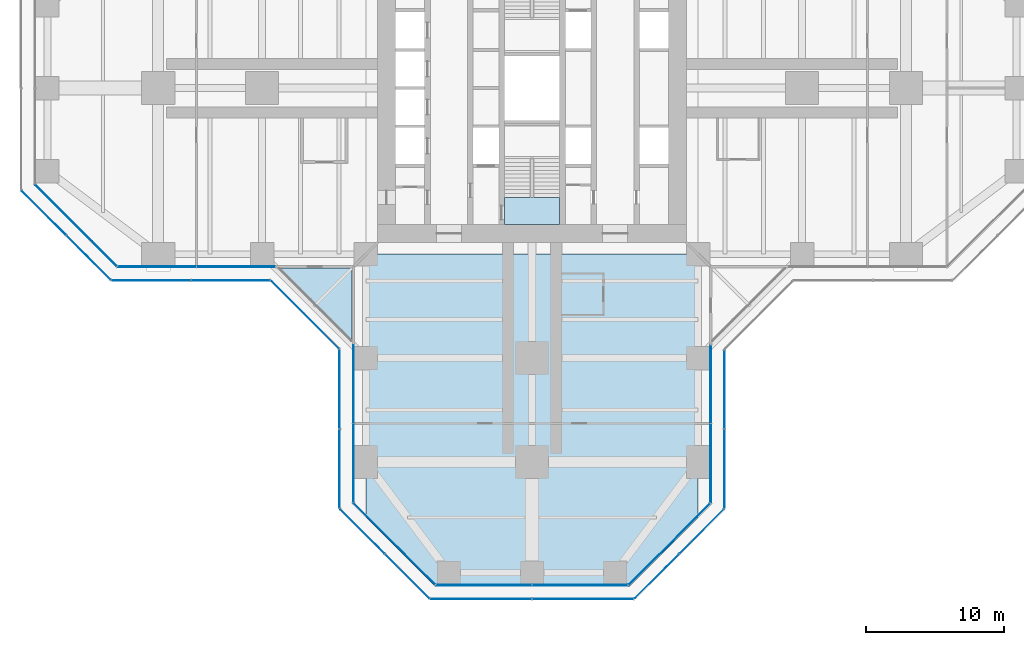
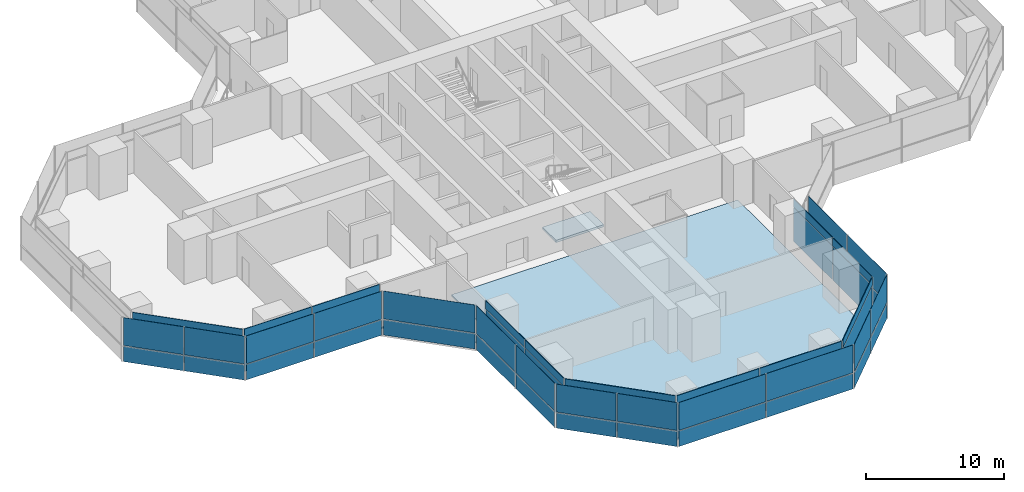
# One storey, part 14 of 22: 52 plates, 3 slabs, 16 elements without a shape of their own.
"""IFC4 building model written with IfcOpenShell, lengths in metres."""

from ifc_helpers import new_model, si_unit, direction, frame, origin, origin_2d, place, context, subcontext, project, spatial, polyline, rectangle, outline, extrude, material, layer, layer_set, type_object, element, aggregate, save


model = new_model("IFC4")

# Units and contexts
model_context = context("Model", 3, precision=1e-05, world=origin(), true_north=direction((0.0, 1.0)))
body_context = subcontext(model_context, "Body", "Model", "MODEL_VIEW")
ifc_project = project(units=[si_unit("LENGTHUNIT", "METRE"), si_unit("AREAUNIT", "SQUARE_METRE"), si_unit("VOLUMEUNIT", "CUBIC_METRE"), si_unit("PLANEANGLEUNIT", "RADIAN"), si_unit("MASSUNIT", "GRAM", prefix="KILO")], contexts=[model_context])

# Site, building, storey
site_placement = place(None, origin())
site = spatial("IfcSite", under=ifc_project, at=site_placement, CompositionType="ELEMENT")
building_placement = place(site_placement, origin())
building = spatial("IfcBuilding", under=site, at=building_placement, Name="Mizan Broadcast Tower", CompositionType="ELEMENT")
storey_placement = place(building_placement, frame((0.0, 0.0, 109.800048828125)))
storey = spatial("IfcBuildingStorey", under=building, at=storey_placement, Name="L24", CompositionType="ELEMENT", Elevation=109.800048828125)

# Slab
ifc_material_1 = material(Name="Concrete C32/40", Category="concrete")
ifc_layer_1 = layer(ifc_material_1, 0.1298828125)
ifc_layer_set_1 = layer_set([ifc_layer_1], Name="Concrete C32/40")
slab_type_1 = type_object("IfcSlabType", Name="COMPOSITE DECK SLAB 130", PredefinedType="FLOOR", material=ifc_layer_set_1)
slab_1_placement = place(storey_placement, frame((0.0, 0.0, -0.130126953125)))
element("IfcSlab", 1, at=slab_1_placement, inside=storey, type_object=slab_type_1, Name="Floor slab L24 south arm", PredefinedType="FLOOR", context=body_context, shape_type="SweptSolid", body=[
    extrude(outline(polyline([(7.0, -36.0), (12.0, -31.0), (12.0, -12.0), (-12.0, -12.0), (-12.0, -31.0), (-7.0, -36.0), (7.0, -36.0)])), origin(), (0.0, 0.0, 1.0), 0.130126953125),
])

# Curtain wall, plate
ifc_material_2 = material(Name="Aluminium framed glazing", Category="aluminium")
curtain_wall_type_1 = type_object("IfcCurtainWallType", Name="INNER SKIN LOW ZONE", PredefinedType="USERDEFINED", material=ifc_material_2)
curtain_wall_1_placement = place(storey_placement, origin())
curtain_wall_1 = element("IfcCurtainWall", 2, at=curtain_wall_1_placement, inside=storey, type_object=curtain_wall_type_1, Name="Inner skin low zone L24 W chamfer", ObjectType="INNER SKIN LOW ZONE", PredefinedType="USERDEFINED")
ifc_material_3 = material(Name="Double glazing, clear low-e", Category="glass")
ifc_layer_2 = layer(ifc_material_3, 0.028076171875)
ifc_layer_set_2 = layer_set([ifc_layer_2], Name="Double glazing, clear low-e")
plate_type_1 = type_object("IfcPlateType", Name="INNER SKIN GLAZING UNIT", PredefinedType="CURTAIN_PANEL", material=ifc_layer_set_2)
plate_1_placement = place(storey_placement, frame((-32.92919921875, -9.92919921875, 0.0), z_axis=(0.0, 0.0, 1.0), x_axis=(0.707106781187, -0.707106781187, 0.0)))
plate_1 = element("IfcPlate", 3, at=plate_1_placement, type_object=plate_type_1, Name="Inner skin low zone L24 W chamfer panel 1.1", PredefinedType="CURTAIN_PANEL", context=body_context, shape_type="SweptSolid", body=[
    extrude(rectangle(XDim=8.282470703125, YDim=0.028076171875, at=origin_2d()), origin(), (0.0, 0.0, 1.0), 3.0),
])

# Curtain wall, plates
curtain_wall_2_placement = place(storey_placement, origin())
curtain_wall_2 = element("IfcCurtainWall", 4, at=curtain_wall_2_placement, inside=storey, type_object=curtain_wall_type_1, Name="Inner skin low zone L24 W side", ObjectType="INNER SKIN LOW ZONE", PredefinedType="USERDEFINED")
plate_2_placement = place(storey_placement, frame((-27.078857421875, -12.89990234375, 0.0), z_axis=(0.0, 0.0, 1.0), x_axis=(1.0, 0.0, 0.0)))
plate_2 = element("IfcPlate", 5, at=plate_2_placement, type_object=plate_type_1, Name="Inner skin low zone L24 W side panel 1.1", PredefinedType="CURTAIN_PANEL", context=body_context, shape_type="SweptSolid", body=[
    extrude(rectangle(XDim=5.639404296875, YDim=0.028076171875, at=origin_2d()), origin(), (0.0, 0.0, 1.0), 3.0),
])
plate_3_placement = place(storey_placement, frame((-21.379638671875, -12.89990234375, 0.0), z_axis=(0.0, 0.0, 1.0), x_axis=(1.0, 0.0, 0.0)))
plate_3 = element("IfcPlate", 6, at=plate_3_placement, type_object=plate_type_1, Name="Inner skin low zone L24 W side panel 2.1", PredefinedType="CURTAIN_PANEL", context=body_context, shape_type="SweptSolid", body=[
    extrude(rectangle(XDim=5.639404296875, YDim=0.028076171875, at=origin_2d()), origin(), (0.0, 0.0, 1.0), 3.0),
])

curtain_wall_3_placement = place(storey_placement, origin())
curtain_wall_3 = element("IfcCurtainWall", 7, at=curtain_wall_3_placement, inside=storey, type_object=curtain_wall_type_1, Name="Inner skin low zone L24 S side", ObjectType="INNER SKIN LOW ZONE", PredefinedType="USERDEFINED")
plate_4_placement = place(storey_placement, frame((-12.89990234375, -21.379638671875, 0.0), z_axis=(0.0, 0.0, 1.0), x_axis=(0.0, -1.0, 0.0)))
plate_4 = element("IfcPlate", 8, at=plate_4_placement, type_object=plate_type_1, Name="Inner skin low zone L24 S side panel 1.1", PredefinedType="CURTAIN_PANEL", context=body_context, shape_type="SweptSolid", body=[
    extrude(rectangle(XDim=5.639404296875, YDim=0.028076171875, at=origin_2d()), origin(), (0.0, 0.0, 1.0), 3.0),
])
plate_5_placement = place(storey_placement, frame((-12.89990234375, -27.078857421875, 0.0), z_axis=(0.0, 0.0, 1.0), x_axis=(0.0, -1.0, 0.0)))
plate_5 = element("IfcPlate", 9, at=plate_5_placement, type_object=plate_type_1, Name="Inner skin low zone L24 S side panel 2.1", PredefinedType="CURTAIN_PANEL", context=body_context, shape_type="SweptSolid", body=[
    extrude(rectangle(XDim=5.639404296875, YDim=0.028076171875, at=origin_2d()), origin(), (0.0, 0.0, 1.0), 3.0),
])

# Curtain wall, plate
curtain_wall_4_placement = place(storey_placement, origin())
curtain_wall_4 = element("IfcCurtainWall", 10, at=curtain_wall_4_placement, inside=storey, type_object=curtain_wall_type_1, Name="Inner skin low zone L24 S chamfer", ObjectType="INNER SKIN LOW ZONE", PredefinedType="USERDEFINED")
plate_6_placement = place(storey_placement, frame((-9.92919921875, -32.92919921875, 0.0), z_axis=(0.0, 0.0, 1.0), x_axis=(0.707106781187, -0.707106781187, 0.0)))
plate_6 = element("IfcPlate", 11, at=plate_6_placement, type_object=plate_type_1, Name="Inner skin low zone L24 S chamfer panel 1.1", PredefinedType="CURTAIN_PANEL", context=body_context, shape_type="SweptSolid", body=[
    extrude(rectangle(XDim=8.282470703125, YDim=0.028076171875, at=origin_2d()), origin(), (0.0, 0.0, 1.0), 3.0),
])

# Curtain wall, plates
curtain_wall_5_placement = place(storey_placement, origin())
curtain_wall_5 = element("IfcCurtainWall", 12, at=curtain_wall_5_placement, inside=storey, type_object=curtain_wall_type_1, Name="Inner skin low zone L24 S end", ObjectType="INNER SKIN LOW ZONE", PredefinedType="USERDEFINED")
plate_7_placement = place(storey_placement, frame((-3.46435546875, -35.89990234375, 0.0), z_axis=(0.0, 0.0, 1.0), x_axis=(1.0, 0.0, 0.0)))
plate_7 = element("IfcPlate", 13, at=plate_7_placement, type_object=plate_type_1, Name="Inner skin low zone L24 S end panel 1.1", PredefinedType="CURTAIN_PANEL", context=body_context, shape_type="SweptSolid", body=[
    extrude(rectangle(XDim=6.86865234375, YDim=0.028076171875, at=origin_2d()), origin(), (0.0, 0.0, 1.0), 3.0),
])
plate_8_placement = place(storey_placement, frame((3.46435546875, -35.89990234375, 0.0), z_axis=(0.0, 0.0, 1.0), x_axis=(1.0, 0.0, 0.0)))
plate_8 = element("IfcPlate", 14, at=plate_8_placement, type_object=plate_type_1, Name="Inner skin low zone L24 S end panel 2.1", PredefinedType="CURTAIN_PANEL", context=body_context, shape_type="SweptSolid", body=[
    extrude(rectangle(XDim=6.86865234375, YDim=0.028076171875, at=origin_2d()), origin(), (0.0, 0.0, 1.0), 3.0),
])

# Curtain wall, plate
curtain_wall_6_placement = place(storey_placement, origin())
curtain_wall_6 = element("IfcCurtainWall", 15, at=curtain_wall_6_placement, inside=storey, type_object=curtain_wall_type_1, Name="Inner skin low zone L24 S chamfer", ObjectType="INNER SKIN LOW ZONE", PredefinedType="USERDEFINED")
plate_9_placement = place(storey_placement, frame((9.92919921875, -32.92919921875, 0.0), z_axis=(0.0, 0.0, 1.0), x_axis=(0.707106781187, 0.707106781187, 0.0)))
plate_9 = element("IfcPlate", 16, at=plate_9_placement, type_object=plate_type_1, Name="Inner skin low zone L24 S chamfer panel 1.1", PredefinedType="CURTAIN_PANEL", context=body_context, shape_type="SweptSolid", body=[
    extrude(rectangle(XDim=8.282470703125, YDim=0.028076171875, at=origin_2d()), origin(), (0.0, 0.0, 1.0), 3.0),
])

# Curtain wall, plates
curtain_wall_7_placement = place(storey_placement, origin())
curtain_wall_7 = element("IfcCurtainWall", 17, at=curtain_wall_7_placement, inside=storey, type_object=curtain_wall_type_1, Name="Inner skin low zone L24 S side", ObjectType="INNER SKIN LOW ZONE", PredefinedType="USERDEFINED")
plate_10_placement = place(storey_placement, frame((12.89990234375, -27.078857421875, 0.0), z_axis=(0.0, 0.0, 1.0), x_axis=(0.0, 1.0, 0.0)))
plate_10 = element("IfcPlate", 18, at=plate_10_placement, type_object=plate_type_1, Name="Inner skin low zone L24 S side panel 1.1", PredefinedType="CURTAIN_PANEL", context=body_context, shape_type="SweptSolid", body=[
    extrude(rectangle(XDim=5.639404296875, YDim=0.028076171875, at=origin_2d()), origin(), (0.0, 0.0, 1.0), 3.0),
])
plate_11_placement = place(storey_placement, frame((12.89990234375, -21.379638671875, 0.0), z_axis=(0.0, 0.0, 1.0), x_axis=(0.0, 1.0, 0.0)))
plate_11 = element("IfcPlate", 19, at=plate_11_placement, type_object=plate_type_1, Name="Inner skin low zone L24 S side panel 2.1", PredefinedType="CURTAIN_PANEL", context=body_context, shape_type="SweptSolid", body=[
    extrude(rectangle(XDim=5.639404296875, YDim=0.028076171875, at=origin_2d()), origin(), (0.0, 0.0, 1.0), 3.0),
])

# Plate
ifc_material_4 = material(Name="Insulated aluminium spandrel panel, pale anodised", Category="aluminium")
ifc_layer_3 = layer(ifc_material_4, 0.050048828125)
ifc_layer_set_3 = layer_set([ifc_layer_3], Name="Insulated aluminium spandrel panel, pale anodised")
plate_type_2 = type_object("IfcPlateType", Name="INNER SKIN SPANDREL PANEL", PredefinedType="CURTAIN_PANEL", material=ifc_layer_set_3)
plate_12_placement = place(storey_placement, frame((-32.92919921875, -9.92919921875, 3.06005859375), z_axis=(0.0, 0.0, 1.0), x_axis=(0.707106781187, -0.707106781187, 0.0)))
plate_12 = element("IfcPlate", 20, at=plate_12_placement, type_object=plate_type_2, Name="Inner skin low zone L24 W chamfer panel 1.2", PredefinedType="CURTAIN_PANEL", context=body_context, shape_type="SweptSolid", body=[
    extrude(rectangle(XDim=8.282470703125, YDim=0.050048828125, at=origin_2d()), origin(), (0.0, 0.0, 1.0), 0.7099609375),
])

aggregate(curtain_wall_1, [plate_1, plate_12])

plate_13_placement = place(storey_placement, frame((-27.078857421875, -12.89990234375, 3.06005859375), z_axis=(0.0, 0.0, 1.0), x_axis=(1.0, 0.0, 0.0)))
plate_13 = element("IfcPlate", 21, at=plate_13_placement, type_object=plate_type_2, Name="Inner skin low zone L24 W side panel 1.2", PredefinedType="CURTAIN_PANEL", context=body_context, shape_type="SweptSolid", body=[
    extrude(rectangle(XDim=5.639404296875, YDim=0.050048828125, at=origin_2d()), origin(), (0.0, 0.0, 1.0), 0.7099609375),
])

plate_14_placement = place(storey_placement, frame((-21.379638671875, -12.89990234375, 3.06005859375), z_axis=(0.0, 0.0, 1.0), x_axis=(1.0, 0.0, 0.0)))
plate_14 = element("IfcPlate", 22, at=plate_14_placement, type_object=plate_type_2, Name="Inner skin low zone L24 W side panel 2.2", PredefinedType="CURTAIN_PANEL", context=body_context, shape_type="SweptSolid", body=[
    extrude(rectangle(XDim=5.639404296875, YDim=0.050048828125, at=origin_2d()), origin(), (0.0, 0.0, 1.0), 0.7099609375),
])

aggregate(curtain_wall_2, [plate_2, plate_13, plate_3, plate_14])

plate_15_placement = place(storey_placement, frame((-12.89990234375, -21.379638671875, 3.06005859375), z_axis=(0.0, 0.0, 1.0), x_axis=(0.0, -1.0, 0.0)))
plate_15 = element("IfcPlate", 23, at=plate_15_placement, type_object=plate_type_2, Name="Inner skin low zone L24 S side panel 1.2", PredefinedType="CURTAIN_PANEL", context=body_context, shape_type="SweptSolid", body=[
    extrude(rectangle(XDim=5.639404296875, YDim=0.050048828125, at=origin_2d()), origin(), (0.0, 0.0, 1.0), 0.7099609375),
])

plate_16_placement = place(storey_placement, frame((-12.89990234375, -27.078857421875, 3.06005859375), z_axis=(0.0, 0.0, 1.0), x_axis=(0.0, -1.0, 0.0)))
plate_16 = element("IfcPlate", 24, at=plate_16_placement, type_object=plate_type_2, Name="Inner skin low zone L24 S side panel 2.2", PredefinedType="CURTAIN_PANEL", context=body_context, shape_type="SweptSolid", body=[
    extrude(rectangle(XDim=5.639404296875, YDim=0.050048828125, at=origin_2d()), origin(), (0.0, 0.0, 1.0), 0.7099609375),
])

aggregate(curtain_wall_3, [plate_4, plate_15, plate_5, plate_16])

plate_17_placement = place(storey_placement, frame((-9.92919921875, -32.92919921875, 3.06005859375), z_axis=(0.0, 0.0, 1.0), x_axis=(0.707106781187, -0.707106781187, 0.0)))
plate_17 = element("IfcPlate", 25, at=plate_17_placement, type_object=plate_type_2, Name="Inner skin low zone L24 S chamfer panel 1.2", PredefinedType="CURTAIN_PANEL", context=body_context, shape_type="SweptSolid", body=[
    extrude(rectangle(XDim=8.282470703125, YDim=0.050048828125, at=origin_2d()), origin(), (0.0, 0.0, 1.0), 0.7099609375),
])

aggregate(curtain_wall_4, [plate_6, plate_17])

plate_18_placement = place(storey_placement, frame((-3.46435546875, -35.89990234375, 3.06005859375), z_axis=(0.0, 0.0, 1.0), x_axis=(1.0, 0.0, 0.0)))
plate_18 = element("IfcPlate", 26, at=plate_18_placement, type_object=plate_type_2, Name="Inner skin low zone L24 S end panel 1.2", PredefinedType="CURTAIN_PANEL", context=body_context, shape_type="SweptSolid", body=[
    extrude(rectangle(XDim=6.86865234375, YDim=0.050048828125, at=origin_2d()), origin(), (0.0, 0.0, 1.0), 0.7099609375),
])

plate_19_placement = place(storey_placement, frame((3.46435546875, -35.89990234375, 3.06005859375), z_axis=(0.0, 0.0, 1.0), x_axis=(1.0, 0.0, 0.0)))
plate_19 = element("IfcPlate", 27, at=plate_19_placement, type_object=plate_type_2, Name="Inner skin low zone L24 S end panel 2.2", PredefinedType="CURTAIN_PANEL", context=body_context, shape_type="SweptSolid", body=[
    extrude(rectangle(XDim=6.86865234375, YDim=0.050048828125, at=origin_2d()), origin(), (0.0, 0.0, 1.0), 0.7099609375),
])

aggregate(curtain_wall_5, [plate_7, plate_18, plate_8, plate_19])

plate_20_placement = place(storey_placement, frame((9.92919921875, -32.92919921875, 3.06005859375), z_axis=(0.0, 0.0, 1.0), x_axis=(0.707106781187, 0.707106781187, 0.0)))
plate_20 = element("IfcPlate", 28, at=plate_20_placement, type_object=plate_type_2, Name="Inner skin low zone L24 S chamfer panel 1.2", PredefinedType="CURTAIN_PANEL", context=body_context, shape_type="SweptSolid", body=[
    extrude(rectangle(XDim=8.282470703125, YDim=0.050048828125, at=origin_2d()), origin(), (0.0, 0.0, 1.0), 0.7099609375),
])

aggregate(curtain_wall_6, [plate_9, plate_20])

plate_21_placement = place(storey_placement, frame((12.89990234375, -27.078857421875, 3.06005859375), z_axis=(0.0, 0.0, 1.0), x_axis=(0.0, 1.0, 0.0)))
plate_21 = element("IfcPlate", 29, at=plate_21_placement, type_object=plate_type_2, Name="Inner skin low zone L24 S side panel 1.2", PredefinedType="CURTAIN_PANEL", context=body_context, shape_type="SweptSolid", body=[
    extrude(rectangle(XDim=5.639404296875, YDim=0.050048828125, at=origin_2d()), origin(), (0.0, 0.0, 1.0), 0.7099609375),
])

plate_22_placement = place(storey_placement, frame((12.89990234375, -21.379638671875, 3.06005859375), z_axis=(0.0, 0.0, 1.0), x_axis=(0.0, 1.0, 0.0)))
plate_22 = element("IfcPlate", 30, at=plate_22_placement, type_object=plate_type_2, Name="Inner skin low zone L24 S side panel 2.2", PredefinedType="CURTAIN_PANEL", context=body_context, shape_type="SweptSolid", body=[
    extrude(rectangle(XDim=5.639404296875, YDim=0.050048828125, at=origin_2d()), origin(), (0.0, 0.0, 1.0), 0.7099609375),
])

aggregate(curtain_wall_7, [plate_10, plate_21, plate_11, plate_22])

# Curtain wall, plates
ifc_material_5 = material(Name="Aluminium framed glazing", Category="aluminium")
curtain_wall_type_2 = type_object("IfcCurtainWallType", Name="OUTER SKIN", PredefinedType="USERDEFINED", material=ifc_material_5)
curtain_wall_8_placement = place(storey_placement, origin())
curtain_wall_8 = element("IfcCurtainWall", 31, at=curtain_wall_8_placement, inside=storey, type_object=curtain_wall_type_2, Name="Outer skin L24 W chamfer", ObjectType="OUTER SKIN", PredefinedType="USERDEFINED")
ifc_material_6 = material(Name="Laminated clear glass", Category="glass")
ifc_layer_4 = layer(ifc_material_6, 0.02001953125)
ifc_layer_set_4 = layer_set([ifc_layer_4], Name="Laminated clear glass")
plate_type_3 = type_object("IfcPlateType", Name="OUTER SKIN CLEAR GLASS", PredefinedType="CURTAIN_PANEL", material=ifc_layer_set_4)
plate_23_placement = place(storey_placement, frame((-35.254150390625, -9.018798828125, 0.0), z_axis=(0.0, 0.0, 1.0), x_axis=(0.707106781187, -0.707106781187, 0.0)))
plate_23 = element("IfcPlate", 32, at=plate_23_placement, type_object=plate_type_3, Name="Outer skin L24 W chamfer panel 1.1", PredefinedType="CURTAIN_PANEL", context=body_context, shape_type="SweptSolid", body=[
    extrude(rectangle(XDim=4.495361328125, YDim=0.02001953125, at=origin_2d()), origin(), (0.0, 0.0, 1.0), 1.3701171875),
])
plate_24_placement = place(storey_placement, frame((-35.254150390625, -9.018798828125, 1.43017578125), z_axis=(0.0, 0.0, 1.0), x_axis=(0.707106781187, -0.707106781187, 0.0)))
plate_24 = element("IfcPlate", 33, at=plate_24_placement, type_object=plate_type_3, Name="Outer skin L24 W chamfer panel 1.2", PredefinedType="CURTAIN_PANEL", context=body_context, shape_type="SweptSolid", body=[
    extrude(rectangle(XDim=4.495361328125, YDim=0.02001953125, at=origin_2d()), origin(), (0.0, 0.0, 1.0), 2.469970703125),
])

curtain_wall_9_placement = place(storey_placement, origin())
curtain_wall_9 = element("IfcCurtainWall", 34, at=curtain_wall_9_placement, inside=storey, type_object=curtain_wall_type_2, Name="Outer skin L24 W side", ObjectType="OUTER SKIN", PredefinedType="USERDEFINED")
plate_25_placement = place(storey_placement, frame((-27.477783203125, -13.89990234375, 0.0), z_axis=(0.0, 0.0, 1.0), x_axis=(1.0, 0.0, 0.0)))
plate_25 = element("IfcPlate", 35, at=plate_25_placement, type_object=plate_type_3, Name="Outer skin L24 W side panel 1.1", PredefinedType="CURTAIN_PANEL", context=body_context, shape_type="SweptSolid", body=[
    extrude(rectangle(XDim=5.6298828125, YDim=0.02001953125, at=origin_2d()), origin(), (0.0, 0.0, 1.0), 1.3701171875),
])
plate_26_placement = place(storey_placement, frame((-27.477783203125, -13.89990234375, 1.43017578125), z_axis=(0.0, 0.0, 1.0), x_axis=(1.0, 0.0, 0.0)))
plate_26 = element("IfcPlate", 36, at=plate_26_placement, type_object=plate_type_3, Name="Outer skin L24 W side panel 1.2", PredefinedType="CURTAIN_PANEL", context=body_context, shape_type="SweptSolid", body=[
    extrude(rectangle(XDim=5.6298828125, YDim=0.02001953125, at=origin_2d()), origin(), (0.0, 0.0, 1.0), 2.469970703125),
])

curtain_wall_10_placement = place(storey_placement, origin())
curtain_wall_10 = element("IfcCurtainWall", 37, at=curtain_wall_10_placement, inside=storey, type_object=curtain_wall_type_2, Name="Outer skin L24 W chamfer", ObjectType="OUTER SKIN", PredefinedType="USERDEFINED")
plate_27_placement = place(storey_placement, frame((-16.386474609375, -16.386474609375, 0.0), z_axis=(0.0, 0.0, 1.0), x_axis=(0.707106781187, -0.707106781187, 0.0)))
plate_27 = element("IfcPlate", 38, at=plate_27_placement, type_object=plate_type_3, Name="Outer skin L24 W chamfer panel 1.1", PredefinedType="CURTAIN_PANEL", context=body_context, shape_type="SweptSolid", body=[
    extrude(rectangle(XDim=6.87255859375, YDim=0.02001953125, at=origin_2d()), origin(), (0.0, 0.0, 1.0), 1.3701171875),
])
plate_28_placement = place(storey_placement, frame((-16.386474609375, -16.386474609375, 1.43017578125), z_axis=(0.0, 0.0, 1.0), x_axis=(0.707106781187, -0.707106781187, 0.0)))
plate_28 = element("IfcPlate", 39, at=plate_28_placement, type_object=plate_type_3, Name="Outer skin L24 W chamfer panel 1.2", PredefinedType="CURTAIN_PANEL", context=body_context, shape_type="SweptSolid", body=[
    extrude(rectangle(XDim=6.87255859375, YDim=0.02001953125, at=origin_2d()), origin(), (0.0, 0.0, 1.0), 2.469970703125),
])
aggregate(curtain_wall_10, [plate_27, plate_28])

curtain_wall_11_placement = place(storey_placement, origin())
curtain_wall_11 = element("IfcCurtainWall", 40, at=curtain_wall_11_placement, inside=storey, type_object=curtain_wall_type_2, Name="Outer skin L24 S side", ObjectType="OUTER SKIN", PredefinedType="USERDEFINED")
plate_29_placement = place(storey_placement, frame((-13.89990234375, -21.767822265625, 0.0), z_axis=(0.0, 0.0, 1.0), x_axis=(0.0, -1.0, 0.0)))
plate_29 = element("IfcPlate", 41, at=plate_29_placement, type_object=plate_type_3, Name="Outer skin L24 S side panel 1.1", PredefinedType="CURTAIN_PANEL", context=body_context, shape_type="SweptSolid", body=[
    extrude(rectangle(XDim=5.6298828125, YDim=0.02001953125, at=origin_2d()), origin(), (0.0, 0.0, 1.0), 1.3701171875),
])
plate_30_placement = place(storey_placement, frame((-13.89990234375, -21.767822265625, 1.43017578125), z_axis=(0.0, 0.0, 1.0), x_axis=(0.0, -1.0, 0.0)))
plate_30 = element("IfcPlate", 42, at=plate_30_placement, type_object=plate_type_3, Name="Outer skin L24 S side panel 1.2", PredefinedType="CURTAIN_PANEL", context=body_context, shape_type="SweptSolid", body=[
    extrude(rectangle(XDim=5.6298828125, YDim=0.02001953125, at=origin_2d()), origin(), (0.0, 0.0, 1.0), 2.469970703125),
])

curtain_wall_12_placement = place(storey_placement, origin())
curtain_wall_12 = element("IfcCurtainWall", 43, at=curtain_wall_12_placement, inside=storey, type_object=curtain_wall_type_2, Name="Outer skin L24 S chamfer", ObjectType="OUTER SKIN", PredefinedType="USERDEFINED")
plate_31_placement = place(storey_placement, frame((-12.254150390625, -32.018798828125, 0.0), z_axis=(0.0, 0.0, 1.0), x_axis=(0.707106781187, -0.707106781187, 0.0)))
plate_31 = element("IfcPlate", 44, at=plate_31_placement, type_object=plate_type_3, Name="Outer skin L24 S chamfer panel 1.1", PredefinedType="CURTAIN_PANEL", context=body_context, shape_type="SweptSolid", body=[
    extrude(rectangle(XDim=4.495361328125, YDim=0.02001953125, at=origin_2d()), origin(), (0.0, 0.0, 1.0), 1.3701171875),
])
plate_32_placement = place(storey_placement, frame((-12.254150390625, -32.018798828125, 1.43017578125), z_axis=(0.0, 0.0, 1.0), x_axis=(0.707106781187, -0.707106781187, 0.0)))
plate_32 = element("IfcPlate", 45, at=plate_32_placement, type_object=plate_type_3, Name="Outer skin L24 S chamfer panel 1.2", PredefinedType="CURTAIN_PANEL", context=body_context, shape_type="SweptSolid", body=[
    extrude(rectangle(XDim=4.495361328125, YDim=0.02001953125, at=origin_2d()), origin(), (0.0, 0.0, 1.0), 2.469970703125),
])

curtain_wall_13_placement = place(storey_placement, origin())
curtain_wall_13 = element("IfcCurtainWall", 46, at=curtain_wall_13_placement, inside=storey, type_object=curtain_wall_type_2, Name="Outer skin L24 S end", ObjectType="OUTER SKIN", PredefinedType="USERDEFINED")
plate_33_placement = place(storey_placement, frame((-3.66650390625, -36.89990234375, 0.0), z_axis=(0.0, 0.0, 1.0), x_axis=(1.0, 0.0, 0.0)))
plate_33 = element("IfcPlate", 47, at=plate_33_placement, type_object=plate_type_3, Name="Outer skin L24 S end panel 1.1", PredefinedType="CURTAIN_PANEL", context=body_context, shape_type="SweptSolid", body=[
    extrude(rectangle(XDim=7.252685546875, YDim=0.02001953125, at=origin_2d()), origin(), (0.0, 0.0, 1.0), 1.3701171875),
])
plate_34_placement = place(storey_placement, frame((-3.66650390625, -36.89990234375, 1.43017578125), z_axis=(0.0, 0.0, 1.0), x_axis=(1.0, 0.0, 0.0)))
plate_34 = element("IfcPlate", 48, at=plate_34_placement, type_object=plate_type_3, Name="Outer skin L24 S end panel 1.2", PredefinedType="CURTAIN_PANEL", context=body_context, shape_type="SweptSolid", body=[
    extrude(rectangle(XDim=7.252685546875, YDim=0.02001953125, at=origin_2d()), origin(), (0.0, 0.0, 1.0), 2.469970703125),
])

curtain_wall_14_placement = place(storey_placement, origin())
curtain_wall_14 = element("IfcCurtainWall", 49, at=curtain_wall_14_placement, inside=storey, type_object=curtain_wall_type_2, Name="Outer skin L24 S chamfer", ObjectType="OUTER SKIN", PredefinedType="USERDEFINED")
plate_35_placement = place(storey_placement, frame((9.018798828125, -35.254150390625, 0.0), z_axis=(0.0, 0.0, 1.0), x_axis=(0.707106781187, 0.707106781187, 0.0)))
plate_35 = element("IfcPlate", 50, at=plate_35_placement, type_object=plate_type_3, Name="Outer skin L24 S chamfer panel 1.1", PredefinedType="CURTAIN_PANEL", context=body_context, shape_type="SweptSolid", body=[
    extrude(rectangle(XDim=4.495361328125, YDim=0.02001953125, at=origin_2d()), origin(), (0.0, 0.0, 1.0), 1.3701171875),
])
plate_36_placement = place(storey_placement, frame((9.018798828125, -35.254150390625, 1.43017578125), z_axis=(0.0, 0.0, 1.0), x_axis=(0.707106781187, 0.707106781187, 0.0)))
plate_36 = element("IfcPlate", 51, at=plate_36_placement, type_object=plate_type_3, Name="Outer skin L24 S chamfer panel 1.2", PredefinedType="CURTAIN_PANEL", context=body_context, shape_type="SweptSolid", body=[
    extrude(rectangle(XDim=4.495361328125, YDim=0.02001953125, at=origin_2d()), origin(), (0.0, 0.0, 1.0), 2.469970703125),
])

curtain_wall_15_placement = place(storey_placement, origin())
curtain_wall_15 = element("IfcCurtainWall", 52, at=curtain_wall_15_placement, inside=storey, type_object=curtain_wall_type_2, Name="Outer skin L24 S side", ObjectType="OUTER SKIN", PredefinedType="USERDEFINED")
plate_37_placement = place(storey_placement, frame((13.89990234375, -27.477783203125, 0.0), z_axis=(0.0, 0.0, 1.0), x_axis=(0.0, 1.0, 0.0)))
plate_37 = element("IfcPlate", 53, at=plate_37_placement, type_object=plate_type_3, Name="Outer skin L24 S side panel 1.1", PredefinedType="CURTAIN_PANEL", context=body_context, shape_type="SweptSolid", body=[
    extrude(rectangle(XDim=5.6298828125, YDim=0.02001953125, at=origin_2d()), origin(), (0.0, 0.0, 1.0), 1.3701171875),
])
plate_38_placement = place(storey_placement, frame((13.89990234375, -27.477783203125, 1.43017578125), z_axis=(0.0, 0.0, 1.0), x_axis=(0.0, 1.0, 0.0)))
plate_38 = element("IfcPlate", 54, at=plate_38_placement, type_object=plate_type_3, Name="Outer skin L24 S side panel 1.2", PredefinedType="CURTAIN_PANEL", context=body_context, shape_type="SweptSolid", body=[
    extrude(rectangle(XDim=5.6298828125, YDim=0.02001953125, at=origin_2d()), origin(), (0.0, 0.0, 1.0), 2.469970703125),
])

# Plate
ifc_material_7 = material(Name="Perforated aluminium, pale anodised", Category="aluminium")
ifc_layer_5 = layer(ifc_material_7, 0.011962890625)
ifc_layer_set_5 = layer_set([ifc_layer_5], Name="Perforated aluminium, pale anodised")
plate_type_4 = type_object("IfcPlateType", Name="OUTER SKIN PERFORATED SCREEN", PredefinedType="USERDEFINED", material=ifc_layer_set_5)
plate_39_placement = place(storey_placement, frame((-32.018798828125, -12.254150390625, 0.0), z_axis=(0.0, 0.0, 1.0), x_axis=(0.707106781187, -0.707106781187, 0.0)))
plate_39 = element("IfcPlate", 55, at=plate_39_placement, type_object=plate_type_4, Name="Outer skin L24 W chamfer panel 2.1", ObjectType="SCREEN", PredefinedType="USERDEFINED", context=body_context, shape_type="SweptSolid", body=[
    extrude(rectangle(XDim=4.495361328125, YDim=0.011962890625, at=origin_2d()), origin(), (0.0, 0.0, 1.0), 1.3701171875),
])

plate_40_placement = place(storey_placement, frame((-32.018798828125, -12.254150390625, 1.43017578125), z_axis=(0.0, 0.0, 1.0), x_axis=(0.707106781187, -0.707106781187, 0.0)))
plate_40 = element("IfcPlate", 56, at=plate_40_placement, type_object=plate_type_4, Name="Outer skin L24 W chamfer panel 2.2", ObjectType="SCREEN", PredefinedType="USERDEFINED", context=body_context, shape_type="SweptSolid", body=[
    extrude(rectangle(XDim=4.495361328125, YDim=0.011962890625, at=origin_2d()), origin(), (0.0, 0.0, 1.0), 2.469970703125),
])

aggregate(curtain_wall_8, [plate_23, plate_24, plate_39, plate_40])

plate_41_placement = place(storey_placement, frame((-21.767822265625, -13.89990234375, 0.0), z_axis=(0.0, 0.0, 1.0), x_axis=(1.0, 0.0, 0.0)))
plate_41 = element("IfcPlate", 57, at=plate_41_placement, type_object=plate_type_4, Name="Outer skin L24 W side panel 2.1", ObjectType="SCREEN", PredefinedType="USERDEFINED", context=body_context, shape_type="SweptSolid", body=[
    extrude(rectangle(XDim=5.6298828125, YDim=0.011962890625, at=origin_2d()), origin(), (0.0, 0.0, 1.0), 1.3701171875),
])

plate_42_placement = place(storey_placement, frame((-21.767822265625, -13.89990234375, 1.43017578125), z_axis=(0.0, 0.0, 1.0), x_axis=(1.0, 0.0, 0.0)))
plate_42 = element("IfcPlate", 58, at=plate_42_placement, type_object=plate_type_4, Name="Outer skin L24 W side panel 2.2", ObjectType="SCREEN", PredefinedType="USERDEFINED", context=body_context, shape_type="SweptSolid", body=[
    extrude(rectangle(XDim=5.6298828125, YDim=0.011962890625, at=origin_2d()), origin(), (0.0, 0.0, 1.0), 2.469970703125),
])

aggregate(curtain_wall_9, [plate_25, plate_26, plate_41, plate_42])

plate_43_placement = place(storey_placement, frame((-13.89990234375, -27.477783203125, 0.0), z_axis=(0.0, 0.0, 1.0), x_axis=(0.0, -1.0, 0.0)))
plate_43 = element("IfcPlate", 59, at=plate_43_placement, type_object=plate_type_4, Name="Outer skin L24 S side panel 2.1", ObjectType="SCREEN", PredefinedType="USERDEFINED", context=body_context, shape_type="SweptSolid", body=[
    extrude(rectangle(XDim=5.6298828125, YDim=0.011962890625, at=origin_2d()), origin(), (0.0, 0.0, 1.0), 1.3701171875),
])

plate_44_placement = place(storey_placement, frame((-13.89990234375, -27.477783203125, 1.43017578125), z_axis=(0.0, 0.0, 1.0), x_axis=(0.0, -1.0, 0.0)))
plate_44 = element("IfcPlate", 60, at=plate_44_placement, type_object=plate_type_4, Name="Outer skin L24 S side panel 2.2", ObjectType="SCREEN", PredefinedType="USERDEFINED", context=body_context, shape_type="SweptSolid", body=[
    extrude(rectangle(XDim=5.6298828125, YDim=0.011962890625, at=origin_2d()), origin(), (0.0, 0.0, 1.0), 2.469970703125),
])

aggregate(curtain_wall_11, [plate_29, plate_30, plate_43, plate_44])

plate_45_placement = place(storey_placement, frame((-9.018798828125, -35.254150390625, 0.0), z_axis=(0.0, 0.0, 1.0), x_axis=(0.707106781187, -0.707106781187, 0.0)))
plate_45 = element("IfcPlate", 61, at=plate_45_placement, type_object=plate_type_4, Name="Outer skin L24 S chamfer panel 2.1", ObjectType="SCREEN", PredefinedType="USERDEFINED", context=body_context, shape_type="SweptSolid", body=[
    extrude(rectangle(XDim=4.495361328125, YDim=0.011962890625, at=origin_2d()), origin(), (0.0, 0.0, 1.0), 1.3701171875),
])

plate_46_placement = place(storey_placement, frame((-9.018798828125, -35.254150390625, 1.43017578125), z_axis=(0.0, 0.0, 1.0), x_axis=(0.707106781187, -0.707106781187, 0.0)))
plate_46 = element("IfcPlate", 62, at=plate_46_placement, type_object=plate_type_4, Name="Outer skin L24 S chamfer panel 2.2", ObjectType="SCREEN", PredefinedType="USERDEFINED", context=body_context, shape_type="SweptSolid", body=[
    extrude(rectangle(XDim=4.495361328125, YDim=0.011962890625, at=origin_2d()), origin(), (0.0, 0.0, 1.0), 2.469970703125),
])

aggregate(curtain_wall_12, [plate_31, plate_32, plate_45, plate_46])

plate_47_placement = place(storey_placement, frame((3.66650390625, -36.89990234375, 0.0), z_axis=(0.0, 0.0, 1.0), x_axis=(1.0, 0.0, 0.0)))
plate_47 = element("IfcPlate", 63, at=plate_47_placement, type_object=plate_type_4, Name="Outer skin L24 S end panel 2.1", ObjectType="SCREEN", PredefinedType="USERDEFINED", context=body_context, shape_type="SweptSolid", body=[
    extrude(rectangle(XDim=7.252685546875, YDim=0.011962890625, at=origin_2d()), origin(), (0.0, 0.0, 1.0), 1.3701171875),
])

plate_48_placement = place(storey_placement, frame((3.66650390625, -36.89990234375, 1.43017578125), z_axis=(0.0, 0.0, 1.0), x_axis=(1.0, 0.0, 0.0)))
plate_48 = element("IfcPlate", 64, at=plate_48_placement, type_object=plate_type_4, Name="Outer skin L24 S end panel 2.2", ObjectType="SCREEN", PredefinedType="USERDEFINED", context=body_context, shape_type="SweptSolid", body=[
    extrude(rectangle(XDim=7.252685546875, YDim=0.011962890625, at=origin_2d()), origin(), (0.0, 0.0, 1.0), 2.469970703125),
])

aggregate(curtain_wall_13, [plate_33, plate_34, plate_47, plate_48])

plate_49_placement = place(storey_placement, frame((12.254150390625, -32.018798828125, 0.0), z_axis=(0.0, 0.0, 1.0), x_axis=(0.707106781187, 0.707106781187, 0.0)))
plate_49 = element("IfcPlate", 65, at=plate_49_placement, type_object=plate_type_4, Name="Outer skin L24 S chamfer panel 2.1", ObjectType="SCREEN", PredefinedType="USERDEFINED", context=body_context, shape_type="SweptSolid", body=[
    extrude(rectangle(XDim=4.495361328125, YDim=0.011962890625, at=origin_2d()), origin(), (0.0, 0.0, 1.0), 1.3701171875),
])

plate_50_placement = place(storey_placement, frame((12.254150390625, -32.018798828125, 1.43017578125), z_axis=(0.0, 0.0, 1.0), x_axis=(0.707106781187, 0.707106781187, 0.0)))
plate_50 = element("IfcPlate", 66, at=plate_50_placement, type_object=plate_type_4, Name="Outer skin L24 S chamfer panel 2.2", ObjectType="SCREEN", PredefinedType="USERDEFINED", context=body_context, shape_type="SweptSolid", body=[
    extrude(rectangle(XDim=4.495361328125, YDim=0.011962890625, at=origin_2d()), origin(), (0.0, 0.0, 1.0), 2.469970703125),
])

aggregate(curtain_wall_14, [plate_35, plate_36, plate_49, plate_50])

plate_51_placement = place(storey_placement, frame((13.89990234375, -21.767822265625, 0.0), z_axis=(0.0, 0.0, 1.0), x_axis=(0.0, 1.0, 0.0)))
plate_51 = element("IfcPlate", 67, at=plate_51_placement, type_object=plate_type_4, Name="Outer skin L24 S side panel 2.1", ObjectType="SCREEN", PredefinedType="USERDEFINED", context=body_context, shape_type="SweptSolid", body=[
    extrude(rectangle(XDim=5.6298828125, YDim=0.011962890625, at=origin_2d()), origin(), (0.0, 0.0, 1.0), 1.3701171875),
])

plate_52_placement = place(storey_placement, frame((13.89990234375, -21.767822265625, 1.43017578125), z_axis=(0.0, 0.0, 1.0), x_axis=(0.0, 1.0, 0.0)))
plate_52 = element("IfcPlate", 68, at=plate_52_placement, type_object=plate_type_4, Name="Outer skin L24 S side panel 2.2", ObjectType="SCREEN", PredefinedType="USERDEFINED", context=body_context, shape_type="SweptSolid", body=[
    extrude(rectangle(XDim=5.6298828125, YDim=0.011962890625, at=origin_2d()), origin(), (0.0, 0.0, 1.0), 2.469970703125),
])

aggregate(curtain_wall_15, [plate_37, plate_38, plate_51, plate_52])

# Stair, slab
ifc_material_8 = material(Name="Concrete C40/50", Category="concrete")
stair_type = type_object("IfcStairType", Name="EXIT STAIR", PredefinedType="HALF_TURN_STAIR", material=ifc_material_8)
stair_placement = place(storey_placement, origin())
stair = element("IfcStair", 69, at=stair_placement, inside=storey, type_object=stair_type, Name="Stair A L24", PredefinedType="HALF_TURN_STAIR")
ifc_material_9 = material(Name="Concrete C40/50", Category="concrete")
ifc_layer_6 = layer(ifc_material_9, 0.199951171875)
ifc_layer_set_6 = layer_set([ifc_layer_6], Name="Concrete C40/50")
slab_type_2 = type_object("IfcSlabType", Name="STAIR LANDING 200", PredefinedType="LANDING", material=ifc_layer_set_6)
slab_2_placement = place(storey_placement, frame((0.0, 0.0, -0.199951171875)))
slab_2 = element("IfcSlab", 70, at=slab_2_placement, type_object=slab_type_2, Name="A landing 1", PredefinedType="LANDING", context=body_context, shape_type="SweptSolid", body=[
    extrude(outline(polyline([(-2.0, -9.85009765625), (-2.0, -7.89990234375), (2.0, -7.89990234375), (2.0, -9.85009765625), (-2.0, -9.85009765625)])), origin(), (0.0, 0.0, 1.0), 0.199951171875),
])
aggregate(stair, [slab_2])

# Slab
ifc_material_10 = material(Name="Concrete C32/40", Category="concrete")
ifc_layer_7 = layer(ifc_material_10, 0.1298828125)
ifc_layer_set_7 = layer_set([ifc_layer_7], Name="Concrete C32/40")
slab_type_3 = type_object("IfcSlabType", Name="WINTER GARDEN SLAB 130", PredefinedType="FLOOR", material=ifc_layer_set_7)
slab_3_placement = place(storey_placement, frame((0.0, 0.0, -0.130126953125)))
element("IfcSlab", 71, at=slab_3_placement, inside=storey, type_object=slab_type_3, Name="Winter garden slab L24 W", PredefinedType="FLOOR", context=body_context, shape_type="SweptSolid", body=[
    extrude(outline(polyline([(-13.0, -13.0), (-18.5, -13.0), (-13.0, -18.5), (-13.0, -13.0)])), origin(), (0.0, 0.0, 1.0), 0.130126953125),
])

save(model, "model.ifc")
